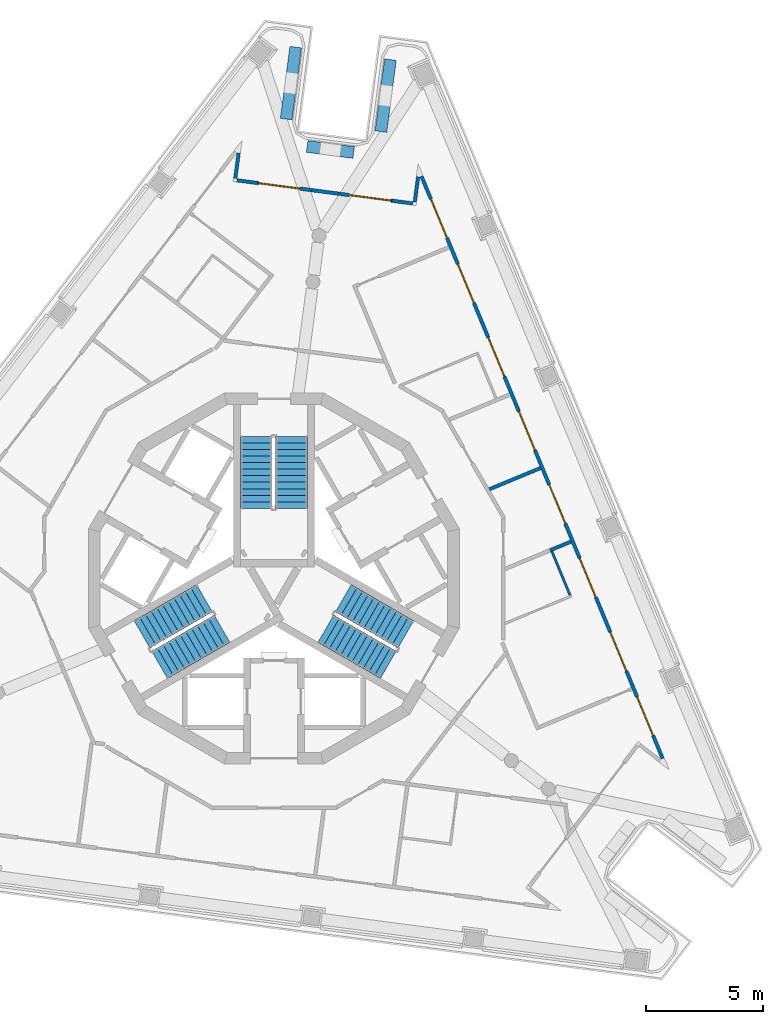
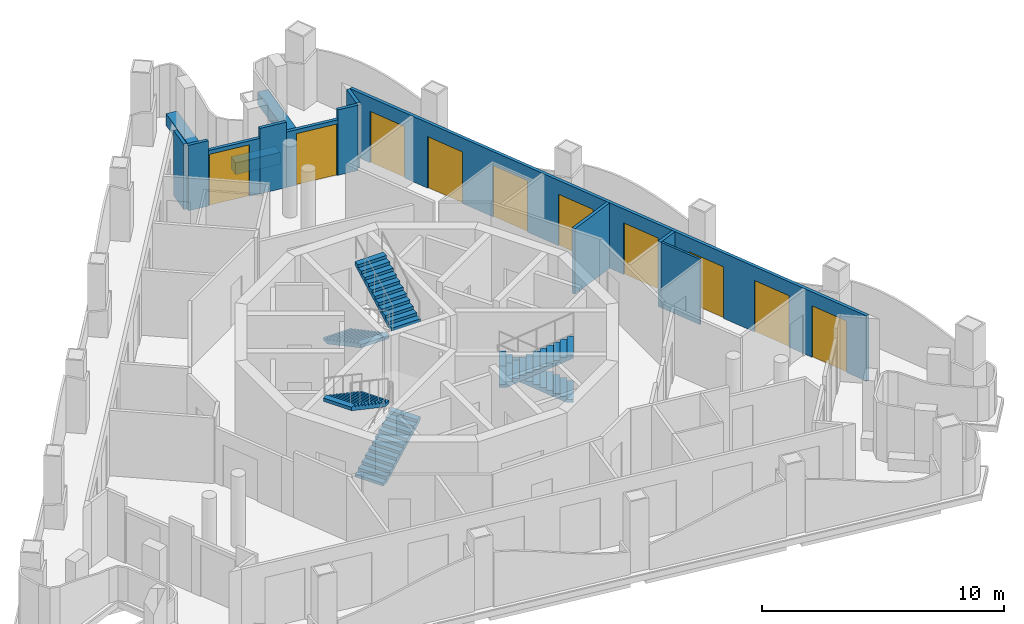
# One storey, part 6 of 12: 14 walls, 10 doors, 6 stair flights, 10 openings, 3 elements without a shape of their own.
"""IFC4 building model written with IfcOpenShell, lengths in metres."""

from ifc_helpers import new_model, si_unit, direction, frame, frame_2d, origin, place, context, subcontext, project, spatial, polyline, rectangle, outline, extrude, material, layer, layer_set, type_object, element, fill, aggregate, save


model = new_model("IFC4")

# Units and contexts
model_context = context("Model", 3, precision=1e-05, world=origin(), true_north=direction((0.0, 1.0)))
body_context = subcontext(model_context, "Body", "Model", "MODEL_VIEW")
ifc_project = project(units=[si_unit("LENGTHUNIT", "METRE"), si_unit("AREAUNIT", "SQUARE_METRE"), si_unit("VOLUMEUNIT", "CUBIC_METRE"), si_unit("PLANEANGLEUNIT", "RADIAN"), si_unit("MASSUNIT", "GRAM", prefix="KILO")], contexts=[model_context])

# Site, building, storey
site_placement = place(None, origin())
site = spatial("IfcSite", under=ifc_project, at=site_placement, CompositionType="ELEMENT")
building_placement = place(site_placement, origin())
building = spatial("IfcBuilding", under=site, at=building_placement, Name="Trine Commons Tower", CompositionType="ELEMENT")
storey_placement = place(building_placement, frame((0.0, 0.0, 289.800048828125)))
storey = spatial("IfcBuildingStorey", under=building, at=storey_placement, Name="L76", CompositionType="ELEMENT", Elevation=289.800048828125)

# Walls
ifc_material_1 = material(Name="Aluminium-framed insulated wall panel", Category="aluminium")
ifc_layer_1 = layer(ifc_material_1, 0.14990234375)
ifc_layer_set_1 = layer_set([ifc_layer_1], Name="Aluminium-framed insulated wall panel")
wall_type_1 = type_object("IfcWallType", Name="Glazed frame wall 150, EI 60", PredefinedType="SOLIDWALL", material=ifc_layer_set_1)
wall_1_placement = place(storey_placement, frame((78.51220703125, 80.81005859375, 0.0), z_axis=(0.0, 0.0, 1.0), x_axis=(-0.130510858064, -0.991446880033, 0.0)))
element("IfcWall", 1, at=wall_1_placement, inside=storey, type_object=wall_type_1, Name="Glazed frame wall R2", PredefinedType="SOLIDWALL", context=body_context, shape_type="SweptSolid", body=[
    extrude(outline(polyline([(0.1494140625, 0.074951171875), (0.1494140625, -0.074951171875), (1.235107421875, -0.074951171875), (1.235107421875, 0.074951171875), (0.1494140625, 0.074951171875)])), origin(), (0.0, 0.0, 1.0), 3.300048828125),
])
wall_2_placement = place(storey_placement, frame((78.306396484375, 79.515869140625, 0.0), z_axis=(0.0, 0.0, 1.0), x_axis=(0.991437672373, -0.130580786489, 0.0)))
element("IfcWall", 2, at=wall_2_placement, inside=storey, type_object=wall_type_1, Name="Glazed frame wall P1.1", PredefinedType="SOLIDWALL", context=body_context, shape_type="SweptSolid", body=[
    extrude(outline(polyline([(0.110107421875, -0.074951171875), (1.0, -0.074951171875), (1.0, 0.074951171875), (0.110107421875, 0.074951171875), (0.110107421875, -0.074951171875)])), origin(), (0.0, 0.0, 1.0), 3.300048828125),
])

# Wall, opening, door
wall_3_placement = place(storey_placement, frame((79.298095703125, 79.38525390625, 0.0), z_axis=(0.0, 0.0, 1.0), x_axis=(0.991435223914, -0.130599375121, 0.0)))
wall_3 = element("IfcWall", 3, at=wall_3_placement, inside=storey, type_object=wall_type_1, Name="Glazed frame wall P1.2", PredefinedType="SOLIDWALL", context=body_context, shape_type="SweptSolid", body=[
    extrude(outline(polyline([(0.0, -0.074951171875), (2.310791015625, -0.074951171875), (2.310791015625, 0.074951171875), (0.0, 0.074951171875), (0.0, -0.074951171875)])), origin(), (0.0, 0.0, 1.0), 2.800048828125),
])
opening_1_placement = place(wall_3_placement, frame((0.050048828125, 0.0, 0.0)))
opening_1 = element("IfcOpeningElement", 4, at=opening_1_placement, cuts=wall_3, Name="Opening BD-8P1-01", PredefinedType="OPENING", context=body_context, shape_type="SweptSolid", body=[
    extrude(rectangle(XDim=1.800048828125, YDim=2.60009765625, at=frame_2d((0.89990234375, 1.300048828125))), frame((0.0, 0.0849609375, 0.0), z_axis=(0.0, -1.0, 0.0), x_axis=(1.0, 0.0, 0.0)), (0.0, 0.0, 1.0), 0.169921875),
])
ifc_material_2 = material(Name="Anodised aluminium frame with double glazing", Category="aluminium")
door_type = type_object("IfcDoorType", Name="Sliding loggia door 1800x2600", OperationType="SLIDING_TO_LEFT", PredefinedType="DOOR", material=ifc_material_2)
door_1_placement = place(opening_1_placement, origin())
door_1 = element("IfcDoor", 5, at=door_1_placement, inside=storey, type_object=door_type, Name="Loggia door P1 1", OperationType="SLIDING_TO_LEFT", OverallHeight=2.60009765625, OverallWidth=1.800048828125, PredefinedType="DOOR", context=body_context, shape_type="SweptSolid", body=[
    extrude(rectangle(XDim=1.800048828125, YDim=2.60009765625, at=frame_2d((0.89990234375, 1.300048828125))), frame((0.0, 0.02490234375, 0.0), z_axis=(0.0, -1.0, 0.0), x_axis=(1.0, 0.0, 0.0)), (0.0, 0.0, 1.0), 0.050048828125),
])
fill(opening_1, door_1)

# Wall
wall_4_placement = place(storey_placement, frame((81.5888671875, 79.08349609375, 0.0), z_axis=(0.0, 0.0, 1.0), x_axis=(0.991447243185, -0.130508099291, 0.0)))
element("IfcWall", 6, at=wall_4_placement, inside=storey, type_object=wall_type_1, Name="Glazed frame wall P1.3", PredefinedType="SOLIDWALL", context=body_context, shape_type="SweptSolid", body=[
    extrude(outline(polyline([(0.0, -0.074951171875), (1.1787109375, -0.074951171875), (1.1787109375, 0.074951171875), (0.0, 0.074951171875), (0.0, -0.074951171875)])), origin(), (0.0, 0.0, 1.0), 3.300048828125),
])

# Wall, opening, door
wall_5_placement = place(storey_placement, frame((82.75732421875, 78.9296875, 0.0), z_axis=(0.0, 0.0, 1.0), x_axis=(0.991450699069, -0.130481842855, 0.0)))
wall_5 = element("IfcWall", 7, at=wall_5_placement, inside=storey, type_object=wall_type_1, Name="Glazed frame wall P1.4", PredefinedType="SOLIDWALL", context=body_context, shape_type="SweptSolid", body=[
    extrude(outline(polyline([(0.0, -0.074951171875), (2.310791015625, -0.074951171875), (2.310791015625, 0.074951171875), (0.0, 0.074951171875), (0.0, -0.074951171875)])), origin(), (0.0, 0.0, 1.0), 2.800048828125),
])
opening_2_placement = place(wall_5_placement, frame((0.460693359375, 0.0, 0.0)))
opening_2 = element("IfcOpeningElement", 8, at=opening_2_placement, cuts=wall_5, Name="Opening BD-8P1-02", PredefinedType="OPENING", context=body_context, shape_type="SweptSolid", body=[
    extrude(rectangle(XDim=1.800048828125, YDim=2.60009765625, at=frame_2d((0.89990234375, 1.300048828125))), frame((0.0, 0.0849609375, 0.0), z_axis=(0.0, -1.0, 0.0), x_axis=(1.0, 0.0, 0.0)), (0.0, 0.0, 1.0), 0.169921875),
])
door_2_placement = place(opening_2_placement, origin())
door_2 = element("IfcDoor", 9, at=door_2_placement, inside=storey, type_object=door_type, Name="Loggia door P1 2", OperationType="SLIDING_TO_LEFT", OverallHeight=2.60009765625, OverallWidth=1.800048828125, PredefinedType="DOOR", context=body_context, shape_type="SweptSolid", body=[
    extrude(rectangle(XDim=1.800048828125, YDim=2.60009765625, at=frame_2d((0.89990234375, 1.300048828125))), frame((0.0, 0.02490234375, 0.0), z_axis=(0.0, -1.0, 0.0), x_axis=(1.0, 0.0, 0.0)), (0.0, 0.0, 1.0), 0.050048828125),
])
fill(opening_2, door_2)

# Walls
wall_6_placement = place(storey_placement, frame((85.04833984375, 78.628173828125, 0.0), z_axis=(0.0, 0.0, 1.0), x_axis=(0.991465094935, -0.130372410907, 0.0)))
element("IfcWall", 10, at=wall_6_placement, inside=storey, type_object=wall_type_1, Name="Glazed frame wall P1.5", PredefinedType="SOLIDWALL", context=body_context, shape_type="SweptSolid", body=[
    extrude(outline(polyline([(0.889892578125, 0.074951171875), (0.0, 0.074951171875), (0.0, -0.074951171875), (0.889892578125, -0.074951171875), (0.889892578125, 0.074951171875)])), origin(), (0.0, 0.0, 1.0), 3.300048828125),
])
wall_7_placement = place(storey_placement, frame((86.00048828125, 78.467529296875, 0.0), z_axis=(0.0, 0.0, 1.0), x_axis=(0.130510858064, 0.991446880033, 0.0)))
element("IfcWall", 11, at=wall_7_placement, inside=storey, type_object=wall_type_1, Name="Glazed frame wall R4", PredefinedType="SOLIDWALL", context=body_context, shape_type="SweptSolid", body=[
    extrude(outline(polyline([(0.110107421875, 0.074951171875), (0.110107421875, -0.074951171875), (1.19580078125, -0.074951171875), (1.19580078125, 0.074951171875), (0.110107421875, 0.074951171875)])), origin(), (0.0, 0.0, 1.0), 3.300048828125),
])

# Wall, openings, doors
wall_8_placement = place(storey_placement, frame((86.2431640625, 79.809814453125, 0.0), z_axis=(0.0, 0.0, 1.0), x_axis=(0.382683868189, -0.923879351987, 0.0)))
wall_8 = element("IfcWall", 12, at=wall_8_placement, inside=storey, type_object=wall_type_1, Name="Glazed frame wall F2", PredefinedType="SOLIDWALL", context=body_context, shape_type="SweptSolid", body=[
    extrude(outline(polyline([(0.1494140625, 0.074951171875), (0.1494140625, -0.074951171875), (27.056884765625, -0.074951171875), (27.056884765625, 0.074951171875), (0.1494140625, 0.074951171875)])), origin(), (0.0, 0.0, 1.0), 3.300048828125),
])
opening_3_placement = place(wall_8_placement, frame((1.200439453125, 0.0, 0.0)))
opening_3 = element("IfcOpeningElement", 13, at=opening_3_placement, cuts=wall_8, Name="Opening BD-8F2-01", PredefinedType="OPENING", context=body_context, shape_type="SweptSolid", body=[
    extrude(rectangle(XDim=1.800048828125, YDim=2.60009765625, at=frame_2d((0.89990234375, 1.300048828125))), frame((0.0, 0.0849609375, 0.0), z_axis=(0.0, -1.0, 0.0), x_axis=(1.0, 0.0, 0.0)), (0.0, 0.0, 1.0), 0.169921875),
])
opening_4_placement = place(wall_8_placement, frame((4.201171875, 0.0, 0.0)))
opening_4 = element("IfcOpeningElement", 14, at=opening_4_placement, cuts=wall_8, Name="Opening BD-8F2-02", PredefinedType="OPENING", context=body_context, shape_type="SweptSolid", body=[
    extrude(rectangle(XDim=1.800048828125, YDim=2.60009765625, at=frame_2d((0.89990234375, 1.300048828125))), frame((0.0, 0.0849609375, 0.0), z_axis=(0.0, -1.0, 0.0), x_axis=(1.0, 0.0, 0.0)), (0.0, 0.0, 1.0), 0.169921875),
])
opening_5_placement = place(wall_8_placement, frame((7.60205078125, 0.0, 0.0)))
opening_5 = element("IfcOpeningElement", 15, at=opening_5_placement, cuts=wall_8, Name="Opening BD-8F2-03", PredefinedType="OPENING", context=body_context, shape_type="SweptSolid", body=[
    extrude(rectangle(XDim=1.800048828125, YDim=2.60009765625, at=frame_2d((0.89990234375, 1.300048828125))), frame((0.0, 0.0849609375, 0.0), z_axis=(0.0, -1.0, 0.0), x_axis=(1.0, 0.0, 0.0)), (0.0, 0.0, 1.0), 0.169921875),
])
opening_6_placement = place(wall_8_placement, frame((11.002685546875, 0.0, 0.0)))
opening_6 = element("IfcOpeningElement", 16, at=opening_6_placement, cuts=wall_8, Name="Opening BD-8F2-04", PredefinedType="OPENING", context=body_context, shape_type="SweptSolid", body=[
    extrude(rectangle(XDim=1.800048828125, YDim=2.60009765625, at=frame_2d((0.89990234375, 1.300048828125))), frame((0.0, 0.0849609375, 0.0), z_axis=(0.0, -1.0, 0.0), x_axis=(1.0, 0.0, 0.0)), (0.0, 0.0, 1.0), 0.169921875),
])
opening_7_placement = place(wall_8_placement, frame((14.403564453125, 0.0, 0.0)))
opening_7 = element("IfcOpeningElement", 17, at=opening_7_placement, cuts=wall_8, Name="Opening BD-8F2-05", PredefinedType="OPENING", context=body_context, shape_type="SweptSolid", body=[
    extrude(rectangle(XDim=1.800048828125, YDim=2.60009765625, at=frame_2d((0.89990234375, 1.300048828125))), frame((0.0, 0.0849609375, 0.0), z_axis=(0.0, -1.0, 0.0), x_axis=(1.0, 0.0, 0.0)), (0.0, 0.0, 1.0), 0.169921875),
])
opening_8_placement = place(wall_8_placement, frame((17.804443359375, 0.0, 0.0)))
opening_8 = element("IfcOpeningElement", 18, at=opening_8_placement, cuts=wall_8, Name="Opening BD-8F2-06", PredefinedType="OPENING", context=body_context, shape_type="SweptSolid", body=[
    extrude(rectangle(XDim=1.800048828125, YDim=2.60009765625, at=frame_2d((0.89990234375, 1.300048828125))), frame((0.0, 0.0849609375, 0.0), z_axis=(0.0, -1.0, 0.0), x_axis=(1.0, 0.0, 0.0)), (0.0, 0.0, 1.0), 0.169921875),
])
opening_9_placement = place(wall_8_placement, frame((21.205078125, 0.0, 0.0)))
opening_9 = element("IfcOpeningElement", 19, at=opening_9_placement, cuts=wall_8, Name="Opening BD-8F2-07", PredefinedType="OPENING", context=body_context, shape_type="SweptSolid", body=[
    extrude(rectangle(XDim=1.800048828125, YDim=2.60009765625, at=frame_2d((0.89990234375, 1.300048828125))), frame((0.0, 0.0849609375, 0.0), z_axis=(0.0, -1.0, 0.0), x_axis=(1.0, 0.0, 0.0)), (0.0, 0.0, 1.0), 0.169921875),
])
opening_10_placement = place(wall_8_placement, frame((24.2060546875, 0.0, 0.0)))
opening_10 = element("IfcOpeningElement", 20, at=opening_10_placement, cuts=wall_8, Name="Opening BD-8F2-08", PredefinedType="OPENING", context=body_context, shape_type="SweptSolid", body=[
    extrude(rectangle(XDim=1.800048828125, YDim=2.60009765625, at=frame_2d((0.89990234375, 1.300048828125))), frame((0.0, 0.0849609375, 0.0), z_axis=(0.0, -1.0, 0.0), x_axis=(1.0, 0.0, 0.0)), (0.0, 0.0, 1.0), 0.169921875),
])
door_3_placement = place(opening_3_placement, origin())
door_3 = element("IfcDoor", 21, at=door_3_placement, inside=storey, type_object=door_type, Name="Loggia door F2 1", OperationType="SLIDING_TO_LEFT", OverallHeight=2.60009765625, OverallWidth=1.800048828125, PredefinedType="DOOR", context=body_context, shape_type="SweptSolid", body=[
    extrude(rectangle(XDim=1.800048828125, YDim=2.60009765625, at=frame_2d((0.89990234375, 1.300048828125))), frame((0.0, 0.02490234375, 0.0), z_axis=(0.0, -1.0, 0.0), x_axis=(1.0, 0.0, 0.0)), (0.0, 0.0, 1.0), 0.050048828125),
])
fill(opening_3, door_3)
door_4_placement = place(opening_4_placement, origin())
door_4 = element("IfcDoor", 22, at=door_4_placement, inside=storey, type_object=door_type, Name="Loggia door F2 2", OperationType="SLIDING_TO_LEFT", OverallHeight=2.60009765625, OverallWidth=1.800048828125, PredefinedType="DOOR", context=body_context, shape_type="SweptSolid", body=[
    extrude(rectangle(XDim=1.800048828125, YDim=2.60009765625, at=frame_2d((0.89990234375, 1.300048828125))), frame((0.0, 0.02490234375, 0.0), z_axis=(0.0, -1.0, 0.0), x_axis=(1.0, 0.0, 0.0)), (0.0, 0.0, 1.0), 0.050048828125),
])
fill(opening_4, door_4)
door_5_placement = place(opening_5_placement, origin())
door_5 = element("IfcDoor", 23, at=door_5_placement, inside=storey, type_object=door_type, Name="Loggia door F2 3", OperationType="SLIDING_TO_LEFT", OverallHeight=2.60009765625, OverallWidth=1.800048828125, PredefinedType="DOOR", context=body_context, shape_type="SweptSolid", body=[
    extrude(rectangle(XDim=1.800048828125, YDim=2.60009765625, at=frame_2d((0.89990234375, 1.300048828125))), frame((0.0, 0.02490234375, 0.0), z_axis=(0.0, -1.0, 0.0), x_axis=(1.0, 0.0, 0.0)), (0.0, 0.0, 1.0), 0.050048828125),
])
fill(opening_5, door_5)
door_6_placement = place(opening_6_placement, origin())
door_6 = element("IfcDoor", 24, at=door_6_placement, inside=storey, type_object=door_type, Name="Loggia door F2 4", OperationType="SLIDING_TO_LEFT", OverallHeight=2.60009765625, OverallWidth=1.800048828125, PredefinedType="DOOR", context=body_context, shape_type="SweptSolid", body=[
    extrude(rectangle(XDim=1.800048828125, YDim=2.60009765625, at=frame_2d((0.89990234375, 1.300048828125))), frame((0.0, 0.02490234375, 0.0), z_axis=(0.0, -1.0, 0.0), x_axis=(1.0, 0.0, 0.0)), (0.0, 0.0, 1.0), 0.050048828125),
])
fill(opening_6, door_6)
door_7_placement = place(opening_7_placement, origin())
door_7 = element("IfcDoor", 25, at=door_7_placement, inside=storey, type_object=door_type, Name="Loggia door F2 5", OperationType="SLIDING_TO_LEFT", OverallHeight=2.60009765625, OverallWidth=1.800048828125, PredefinedType="DOOR", context=body_context, shape_type="SweptSolid", body=[
    extrude(rectangle(XDim=1.800048828125, YDim=2.60009765625, at=frame_2d((0.89990234375, 1.300048828125))), frame((0.0, 0.02490234375, 0.0), z_axis=(0.0, -1.0, 0.0), x_axis=(1.0, 0.0, 0.0)), (0.0, 0.0, 1.0), 0.050048828125),
])
fill(opening_7, door_7)
door_8_placement = place(opening_8_placement, origin())
door_8 = element("IfcDoor", 26, at=door_8_placement, inside=storey, type_object=door_type, Name="Loggia door F2 6", OperationType="SLIDING_TO_LEFT", OverallHeight=2.60009765625, OverallWidth=1.800048828125, PredefinedType="DOOR", context=body_context, shape_type="SweptSolid", body=[
    extrude(rectangle(XDim=1.800048828125, YDim=2.60009765625, at=frame_2d((0.89990234375, 1.300048828125))), frame((0.0, 0.02490234375, 0.0), z_axis=(0.0, -1.0, 0.0), x_axis=(1.0, 0.0, 0.0)), (0.0, 0.0, 1.0), 0.050048828125),
])
fill(opening_8, door_8)
door_9_placement = place(opening_9_placement, origin())
door_9 = element("IfcDoor", 27, at=door_9_placement, inside=storey, type_object=door_type, Name="Loggia door F2 7", OperationType="SLIDING_TO_LEFT", OverallHeight=2.60009765625, OverallWidth=1.800048828125, PredefinedType="DOOR", context=body_context, shape_type="SweptSolid", body=[
    extrude(rectangle(XDim=1.800048828125, YDim=2.60009765625, at=frame_2d((0.89990234375, 1.300048828125))), frame((0.0, 0.02490234375, 0.0), z_axis=(0.0, -1.0, 0.0), x_axis=(1.0, 0.0, 0.0)), (0.0, 0.0, 1.0), 0.050048828125),
])
fill(opening_9, door_9)
door_10_placement = place(opening_10_placement, origin())
door_10 = element("IfcDoor", 28, at=door_10_placement, inside=storey, type_object=door_type, Name="Loggia door F2 8", OperationType="SLIDING_TO_LEFT", OverallHeight=2.60009765625, OverallWidth=1.800048828125, PredefinedType="DOOR", context=body_context, shape_type="SweptSolid", body=[
    extrude(rectangle(XDim=1.800048828125, YDim=2.60009765625, at=frame_2d((0.89990234375, 1.300048828125))), frame((0.0, 0.02490234375, 0.0), z_axis=(0.0, -1.0, 0.0), x_axis=(1.0, 0.0, 0.0)), (0.0, 0.0, 1.0), 0.050048828125),
])
fill(opening_10, door_10)

# Walls
ifc_material_3 = material(Name="Planter trough, precast concrete C40/50", Category="concrete")
ifc_layer_2 = layer(ifc_material_3, 0.5)
ifc_layer_set_2 = layer_set([ifc_layer_2], Name="Planter trough, precast concrete C40/50")
wall_type_2 = type_object("IfcWallType", Name="Planter trough 500x600", PredefinedType="PARAPET", material=ifc_layer_set_2)
wall_9_placement = place(storey_placement, frame((80.92919921875, 85.18701171875, 0.0), z_axis=(0.0, 0.0, 1.0), x_axis=(-0.130487105691, -0.991450006429, 0.0)))
element("IfcWall", 29, at=wall_9_placement, inside=storey, type_object=wall_type_2, Name="Planter 4", PredefinedType="PARAPET", context=body_context, shape_type="SweptSolid", body=[
    extrude(rectangle(XDim=3.100341796875, YDim=0.5, at=frame_2d((1.55029296875, 0.0))), origin(), (0.0, 0.0, 1.0), 0.599853515625),
])
wall_10_placement = place(storey_placement, frame((81.419921875, 80.94677734375, 0.0), z_axis=(0.0, 0.0, 1.0), x_axis=(0.991433509034, -0.130612392842, 0.0)))
element("IfcWall", 30, at=wall_10_placement, inside=storey, type_object=wall_type_2, Name="Planter 5", PredefinedType="PARAPET", context=body_context, shape_type="SweptSolid", body=[
    extrude(rectangle(XDim=2.0, YDim=0.5, at=frame_2d((1.0, 0.0))), origin(), (0.0, 0.0, 1.0), 0.599853515625),
])
wall_11_placement = place(storey_placement, frame((84.569580078125, 81.5810546875, 0.0), z_axis=(0.0, 0.0, 1.0), x_axis=(0.130507484591, 0.9914473241, 0.0)))
element("IfcWall", 31, at=wall_11_placement, inside=storey, type_object=wall_type_2, Name="Planter 6", PredefinedType="PARAPET", context=body_context, shape_type="SweptSolid", body=[
    extrude(rectangle(XDim=3.099853515625, YDim=0.5, at=frame_2d((1.5498046875, 0.0))), origin(), (0.0, 0.0, 1.0), 0.599853515625),
])
ifc_material_4 = material(Name="Gypsum plasterboard on steel stud", Category="steel")
ifc_layer_3 = layer(ifc_material_4, 0.14990234375)
ifc_layer_set_3 = layer_set([ifc_layer_3], Name="Gypsum plasterboard on steel stud")
wall_type_3 = type_object("IfcWallType", Name="Unit and corridor wall 150 mm, EI 60", PredefinedType="PARTITIONING", material=ifc_layer_set_3)
wall_12_placement = place(storey_placement, frame((89.197265625, 66.309814453125, 0.0), z_axis=(0.0, 0.0, 1.0), x_axis=(0.923858052564, 0.382735285429, 0.0)))
element("IfcWall", 32, at=wall_12_placement, inside=storey, type_object=wall_type_3, Name="Partition 044", PredefinedType="PARTITIONING", context=body_context, shape_type="SweptSolid", body=[
    extrude(rectangle(XDim=2.361328125, YDim=0.14990234375, at=frame_2d((1.1806640625, 0.0))), origin(), (0.0, 0.0, 1.0), 3.300048828125),
])
wall_13_placement = place(storey_placement, frame((91.789794921875, 63.702880859375, 0.0), z_axis=(0.0, 0.0, 1.0), x_axis=(0.923958226905, 0.382493392015, 0.0)))
element("IfcWall", 33, at=wall_13_placement, inside=storey, type_object=wall_type_3, Name="Partition 051", PredefinedType="PARTITIONING", context=body_context, shape_type="SweptSolid", body=[
    extrude(rectangle(XDim=0.96435546875, YDim=0.14990234375, at=frame_2d((0.482177734375, 0.0))), origin(), (0.0, 0.0, 1.0), 3.300048828125),
])
ifc_layer_4 = layer(ifc_material_4, 0.10009765625)
ifc_layer_set_4 = layer_set([ifc_layer_4], Name="Gypsum plasterboard on steel stud")
wall_type_4 = type_object("IfcWallType", Name="Unit partition 100 mm, no rating", PredefinedType="PARTITIONING", material=ifc_layer_set_4)
wall_14_placement = place(storey_placement, frame((91.86865234375, 63.65380859375, 0.0), z_axis=(0.0, 0.0, 1.0), x_axis=(0.382816773578, -0.923824289498, 0.0)))
element("IfcWall", 34, at=wall_14_placement, inside=storey, type_object=wall_type_4, Name="Partition 052", PredefinedType="PARTITIONING", context=body_context, shape_type="SweptSolid", body=[
    extrude(rectangle(XDim=2.02490234375, YDim=0.10009765625, at=frame_2d((1.012451171875, 0.0))), origin(), (0.0, 0.0, 1.0), 3.300048828125),
])

# Stair, stair flights
ifc_material_5 = material(Name="Concrete C50/60", Category="concrete")
stair_type = type_object("IfcStairType", Name="Exit stair, dog-leg, 24 risers of 150 mm", PredefinedType="HALF_TURN_STAIR", material=ifc_material_5)
stair_1_placement = place(storey_placement, origin())
stair_1 = element("IfcStair", 35, at=stair_1_placement, inside=storey, type_object=stair_type, Name="L76 Exit stair ST1D", PredefinedType="HALF_TURN_STAIR")
stair_flight_type = type_object("IfcStairFlightType", Name="Stair flight, 1350 wide, 12 risers of 150 mm", PredefinedType="STRAIGHT", material=ifc_material_5)
stair_flight_1_placement = place(storey_placement, frame((79.25, 68.570556640625, 0.0), z_axis=(0.0, 0.0, 1.0), x_axis=(0.0, -1.0, 0.0)))
stair_flight_1 = element("IfcStairFlight", 36, at=stair_flight_1_placement, type_object=stair_flight_type, Name="ST1D flight 1", NumberOfRisers=12, NumberOfTreads=11, PredefinedType="STRAIGHT", RiserHeight=0.15, TreadLength=0.28, context=body_context, shape_type="SweptSolid", body=[
    extrude(outline(polyline([(0.0, 0.0), (0.0, 0.14990234375), (0.280029296875, 0.14990234375), (0.280029296875, 0.300048828125), (0.56005859375, 0.300048828125), (0.56005859375, 0.449951171875), (0.840087890625, 0.449951171875), (0.840087890625, 0.60009765625), (1.1201171875, 0.60009765625), (1.1201171875, 0.75), (1.39990234375, 0.75), (1.39990234375, 0.89990234375), (1.679931640625, 0.89990234375), (1.679931640625, 1.050048828125), (1.9599609375, 1.050048828125), (1.9599609375, 1.199951171875), (2.239990234375, 1.199951171875), (2.239990234375, 1.35009765625), (2.52001953125, 1.35009765625), (2.52001953125, 1.5), (2.800048828125, 1.5), (2.800048828125, 1.64990234375), (3.080078125, 1.64990234375), (3.080078125, 1.800048828125), (3.080078125, 1.47998046875), (0.3173828125, 0.0), (0.0, 0.0)])), frame((0.0, 0.675048828125, 0.0), z_axis=(0.0, -1.0, 0.0), x_axis=(1.0, 0.0, 0.0)), (0.0, 0.0, 1.0), 1.35009765625),
])
stair_flight_2_placement = place(storey_placement, frame((80.75, 65.490478515625, 1.800048828125), z_axis=(0.0, 0.0, 1.0), x_axis=(0.0, 1.0, 0.0)))
stair_flight_2 = element("IfcStairFlight", 37, at=stair_flight_2_placement, type_object=stair_flight_type, Name="ST1D flight 2", NumberOfRisers=12, NumberOfTreads=11, PredefinedType="STRAIGHT", RiserHeight=0.15, TreadLength=0.28, context=body_context, shape_type="SweptSolid", body=[
    extrude(outline(polyline([(0.0, 0.0), (0.0, 0.14990234375), (0.280029296875, 0.14990234375), (0.280029296875, 0.300048828125), (0.56005859375, 0.300048828125), (0.56005859375, 0.449951171875), (0.840087890625, 0.449951171875), (0.840087890625, 0.60009765625), (1.1201171875, 0.60009765625), (1.1201171875, 0.75), (1.39990234375, 0.75), (1.39990234375, 0.89990234375), (1.679931640625, 0.89990234375), (1.679931640625, 1.050048828125), (1.9599609375, 1.050048828125), (1.9599609375, 1.199951171875), (2.239990234375, 1.199951171875), (2.239990234375, 1.35009765625), (2.52001953125, 1.35009765625), (2.52001953125, 1.5), (2.800048828125, 1.5), (2.800048828125, 1.64990234375), (3.080078125, 1.64990234375), (3.080078125, 1.800048828125), (3.080078125, 1.47998046875), (0.3173828125, 0.0), (0.0, 0.0)])), frame((0.0, 0.675048828125, 0.0), z_axis=(0.0, -1.0, 0.0), x_axis=(1.0, 0.0, 0.0)), (0.0, 0.0, 1.0), 1.35009765625),
])
aggregate(stair_1, [stair_flight_1, stair_flight_2])

stair_2_placement = place(storey_placement, origin())
stair_2 = element("IfcStair", 38, at=stair_2_placement, inside=storey, type_object=stair_type, Name="L76 Exit stair ST2D", PredefinedType="HALF_TURN_STAIR")
stair_flight_3_placement = place(storey_placement, frame((75.11767578125, 58.815185546875, 0.0), z_axis=(0.0, 0.0, 1.0), x_axis=(0.866025403784, 0.5, 0.0)))
stair_flight_3 = element("IfcStairFlight", 39, at=stair_flight_3_placement, type_object=stair_flight_type, Name="ST2D flight 1", NumberOfRisers=12, NumberOfTreads=11, PredefinedType="STRAIGHT", RiserHeight=0.15, TreadLength=0.28, context=body_context, shape_type="SweptSolid", body=[
    extrude(outline(polyline([(0.0, 0.0), (0.0, 0.14990234375), (0.280029296875, 0.14990234375), (0.280029296875, 0.300048828125), (0.56005859375, 0.300048828125), (0.56005859375, 0.449951171875), (0.840087890625, 0.449951171875), (0.840087890625, 0.60009765625), (1.1201171875, 0.60009765625), (1.1201171875, 0.75), (1.39990234375, 0.75), (1.39990234375, 0.89990234375), (1.679931640625, 0.89990234375), (1.679931640625, 1.050048828125), (1.9599609375, 1.050048828125), (1.9599609375, 1.199951171875), (2.239990234375, 1.199951171875), (2.239990234375, 1.35009765625), (2.52001953125, 1.35009765625), (2.52001953125, 1.5), (2.800048828125, 1.5), (2.800048828125, 1.64990234375), (3.080078125, 1.64990234375), (3.080078125, 1.800048828125), (3.080078125, 1.47998046875), (0.3173828125, 0.0), (0.0, 0.0)])), frame((0.0, 0.675048828125, 0.0), z_axis=(0.0, -1.0, 0.0), x_axis=(1.0, 0.0, 0.0)), (0.0, 0.0, 1.0), 1.35009765625),
])
stair_flight_4_placement = place(storey_placement, frame((77.03515625, 61.654296875, 1.800048828125), z_axis=(0.0, 0.0, 1.0), x_axis=(-0.866025403784, -0.5, 0.0)))
stair_flight_4 = element("IfcStairFlight", 40, at=stair_flight_4_placement, type_object=stair_flight_type, Name="ST2D flight 2", NumberOfRisers=12, NumberOfTreads=11, PredefinedType="STRAIGHT", RiserHeight=0.15, TreadLength=0.28, context=body_context, shape_type="SweptSolid", body=[
    extrude(outline(polyline([(0.0, 0.0), (0.0, 0.14990234375), (0.280029296875, 0.14990234375), (0.280029296875, 0.300048828125), (0.56005859375, 0.300048828125), (0.56005859375, 0.449951171875), (0.840087890625, 0.449951171875), (0.840087890625, 0.60009765625), (1.1201171875, 0.60009765625), (1.1201171875, 0.75), (1.39990234375, 0.75), (1.39990234375, 0.89990234375), (1.679931640625, 0.89990234375), (1.679931640625, 1.050048828125), (1.9599609375, 1.050048828125), (1.9599609375, 1.199951171875), (2.239990234375, 1.199951171875), (2.239990234375, 1.35009765625), (2.52001953125, 1.35009765625), (2.52001953125, 1.5), (2.800048828125, 1.5), (2.800048828125, 1.64990234375), (3.080078125, 1.64990234375), (3.080078125, 1.800048828125), (3.080078125, 1.47998046875), (0.3173828125, 0.0), (0.0, 0.0)])), frame((0.0, 0.675048828125, 0.0), z_axis=(0.0, -1.0, 0.0), x_axis=(1.0, 0.0, 0.0)), (0.0, 0.0, 1.0), 1.35009765625),
])
aggregate(stair_2, [stair_flight_3, stair_flight_4])

stair_3_placement = place(storey_placement, origin())
stair_3 = element("IfcStair", 41, at=stair_3_placement, inside=storey, type_object=stair_type, Name="L76 Exit stair ST3D", PredefinedType="HALF_TURN_STAIR")
stair_flight_5_placement = place(storey_placement, frame((85.63232421875, 60.1142578125, 0.0), z_axis=(0.0, 0.0, 1.0), x_axis=(-0.866025403784, 0.5, 0.0)))
stair_flight_5 = element("IfcStairFlight", 42, at=stair_flight_5_placement, type_object=stair_flight_type, Name="ST3D flight 1", NumberOfRisers=12, NumberOfTreads=11, PredefinedType="STRAIGHT", RiserHeight=0.15, TreadLength=0.28, context=body_context, shape_type="SweptSolid", body=[
    extrude(outline(polyline([(0.0, 0.0), (0.0, 0.14990234375), (0.280029296875, 0.14990234375), (0.280029296875, 0.300048828125), (0.56005859375, 0.300048828125), (0.56005859375, 0.449951171875), (0.840087890625, 0.449951171875), (0.840087890625, 0.60009765625), (1.1201171875, 0.60009765625), (1.1201171875, 0.75), (1.39990234375, 0.75), (1.39990234375, 0.89990234375), (1.679931640625, 0.89990234375), (1.679931640625, 1.050048828125), (1.9599609375, 1.050048828125), (1.9599609375, 1.199951171875), (2.239990234375, 1.199951171875), (2.239990234375, 1.35009765625), (2.52001953125, 1.35009765625), (2.52001953125, 1.5), (2.800048828125, 1.5), (2.800048828125, 1.64990234375), (3.080078125, 1.64990234375), (3.080078125, 1.800048828125), (3.080078125, 1.47998046875), (0.3173828125, 0.0), (0.0, 0.0)])), frame((0.0, 0.675048828125, 0.0), z_axis=(0.0, -1.0, 0.0), x_axis=(1.0, 0.0, 0.0)), (0.0, 0.0, 1.0), 1.35009765625),
])
stair_flight_6_placement = place(storey_placement, frame((82.21484375, 60.355224609375, 1.800048828125), z_axis=(0.0, 0.0, 1.0), x_axis=(0.866025403784, -0.5, 0.0)))
stair_flight_6 = element("IfcStairFlight", 43, at=stair_flight_6_placement, type_object=stair_flight_type, Name="ST3D flight 2", NumberOfRisers=12, NumberOfTreads=11, PredefinedType="STRAIGHT", RiserHeight=0.15, TreadLength=0.28, context=body_context, shape_type="SweptSolid", body=[
    extrude(outline(polyline([(0.0, 0.0), (0.0, 0.14990234375), (0.280029296875, 0.14990234375), (0.280029296875, 0.300048828125), (0.56005859375, 0.300048828125), (0.56005859375, 0.449951171875), (0.840087890625, 0.449951171875), (0.840087890625, 0.60009765625), (1.1201171875, 0.60009765625), (1.1201171875, 0.75), (1.39990234375, 0.75), (1.39990234375, 0.89990234375), (1.679931640625, 0.89990234375), (1.679931640625, 1.050048828125), (1.9599609375, 1.050048828125), (1.9599609375, 1.199951171875), (2.239990234375, 1.199951171875), (2.239990234375, 1.35009765625), (2.52001953125, 1.35009765625), (2.52001953125, 1.5), (2.800048828125, 1.5), (2.800048828125, 1.64990234375), (3.080078125, 1.64990234375), (3.080078125, 1.800048828125), (3.080078125, 1.47998046875), (0.3173828125, 0.0), (0.0, 0.0)])), frame((0.0, 0.675048828125, 0.0), z_axis=(0.0, -1.0, 0.0), x_axis=(1.0, 0.0, 0.0)), (0.0, 0.0, 1.0), 1.35009765625),
])
aggregate(stair_3, [stair_flight_5, stair_flight_6])

save(model, "model.ifc")
